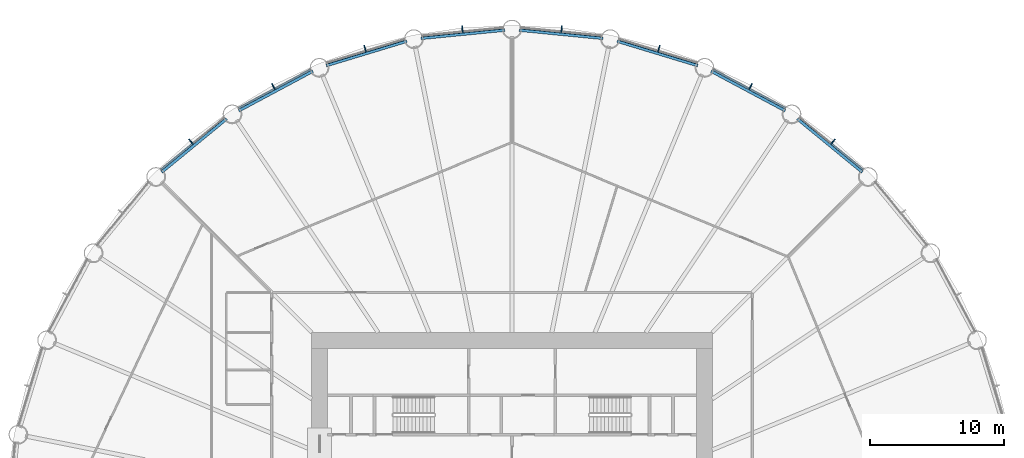
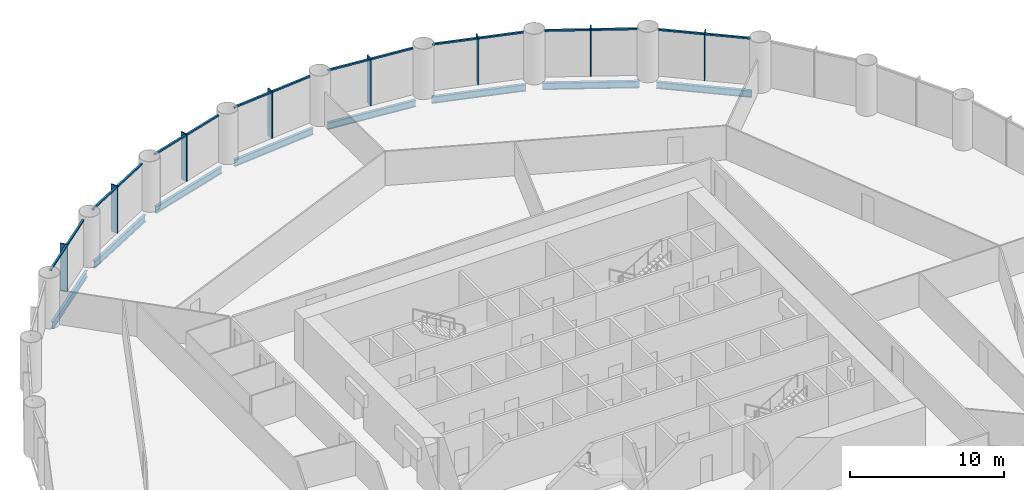
# One storey, part 7 of 15: 24 members, 8 beams, 8 elements without a shape of their own.
"""IFC4 building model written with IfcOpenShell, lengths in metres."""

from ifc_helpers import new_model, si_unit, direction, frame, origin, origin_2d, place, context, subcontext, project, spatial, rectangle, i_section, extrude, material, material_profile, profile_set, type_object, element, aggregate, save


model = new_model("IFC4")

# Units and contexts
model_context = context("Model", 3, precision=1e-05, world=origin(), true_north=direction((0.0, 1.0)))
body_context = subcontext(model_context, "Body", "Model", "MODEL_VIEW")
ifc_project = project(units=[si_unit("LENGTHUNIT", "METRE"), si_unit("AREAUNIT", "SQUARE_METRE"), si_unit("VOLUMEUNIT", "CUBIC_METRE"), si_unit("PLANEANGLEUNIT", "RADIAN"), si_unit("MASSUNIT", "GRAM", prefix="KILO")], contexts=[model_context])

# Site, building, storey
site_placement = place(None, origin())
site = spatial("IfcSite", under=ifc_project, at=site_placement, CompositionType="ELEMENT")
building_placement = place(site_placement, origin())
building = spatial("IfcBuilding", under=site, at=building_placement, Name="Corvane Civic Tower", CompositionType="ELEMENT")
storey_placement = place(building_placement, frame((0.0, 0.0, 57.0)))
storey = spatial("IfcBuildingStorey", under=building, at=storey_placement, Name="L12", CompositionType="ELEMENT", Elevation=57.0)

# Beams
ifc_material_1 = material(Name="Steel ASTM A992 Gr 50", Category="steel")
ifc_material_profile_1 = material_profile(ifc_material_1, i_section(OverallWidth=0.209228515625, OverallDepth=0.533447265625, WebThickness=0.01025390625, FlangeThickness=0.015625, at=origin_2d()), Name="W21X62")
ifc_profile_set_1 = profile_set([ifc_material_profile_1], Name="Steel ASTM A992 Gr 50")
beam_type = type_object("IfcBeamType", Name="EDGE BEAM W21X62", PredefinedType="BEAM", material=ifc_profile_set_1)
beam_1_placement = place(storey_placement, frame((0.54736328125, 37.64599609375, -0.566650390625), z_axis=(0.995186682089, -0.097997284622, 0.0), x_axis=(0.097997284622, 0.995186682089, 0.0)))
element("IfcBeam", 1, at=beam_1_placement, inside=storey, type_object=beam_type, Name="BM-L12-E01", PredefinedType="BEAM", context=body_context, shape_type="SweptSolid", body=[
    extrude(i_section(OverallWidth=0.209228515625, OverallDepth=0.533447265625, WebThickness=0.01025390625, FlangeThickness=0.015625, at=origin_2d()), origin(), (0.0, 0.0, 1.0), 6.29052734375),
])
for number, where, z_axis, x_axis, name in (
    (2, (7.88134765625, 36.81591796875, -0.566650390625), (0.956943740748, -0.290273452184, 0.0), (0.290273452184, 0.956943740748, 0.0), "BM-L12-E02"),
    (3, (14.912353515625, 34.571044921875, -0.566650390625), (0.881916367906, -0.471405897311, 0.0), (0.471405897311, 0.881916367906, 0.0), "BM-L12-E03"),
):
    element("IfcBeam", number, at=place(storey_placement, frame(where, z_axis=z_axis, x_axis=x_axis)), inside=storey, type_object=beam_type, Name=name, PredefinedType="BEAM", context=body_context, shape_type="SweptSolid", body=[
        extrude(i_section(OverallWidth=0.209228515625, OverallDepth=0.533447265625, WebThickness=0.01025390625, FlangeThickness=0.015625, at=origin_2d()), origin(), (0.0, 0.0, 1.0), 6.290283203125),
    ])
for number, where, z_axis, x_axis, name in (
    (4, (21.3701171875, 30.99755859375, -0.566650390625), (0.773015785286, -0.634386787141, 0.0), (0.634386787141, 0.773015785286, 0.0), "BM-L12-E04"),
    (5, (-26.23291015625, 27.0068359375, -0.566650390625), (0.773015785286, 0.634386787141, 0.0), (-0.634386787141, 0.773015785286, 0.0), "BM-L12-E29"),
):
    element("IfcBeam", number, at=place(storey_placement, frame(where, z_axis=z_axis, x_axis=x_axis)), inside=storey, type_object=beam_type, Name=name, PredefinedType="BEAM", context=body_context, shape_type="SweptSolid", body=[
        extrude(i_section(OverallWidth=0.209228515625, OverallDepth=0.533447265625, WebThickness=0.01025390625, FlangeThickness=0.015625, at=origin_2d()), origin(), (0.0, 0.0, 1.0), 6.290771484375),
    ])
for number, where, z_axis, x_axis, name in (
    (6, (-20.4599609375, 31.605712890625, -0.566650390625), (0.881916367906, 0.471405897311, 0.0), (-0.471405897311, 0.881916367906, 0.0), "BM-L12-E30"),
    (7, (-13.90087890625, 34.989990234375, -0.566650390625), (0.956943740748, 0.290273452184, 0.0), (-0.290273452184, 0.956943740748, 0.0), "BM-L12-E31"),
):
    element("IfcBeam", number, at=place(storey_placement, frame(where, z_axis=z_axis, x_axis=x_axis)), inside=storey, type_object=beam_type, Name=name, PredefinedType="BEAM", context=body_context, shape_type="SweptSolid", body=[
        extrude(i_section(OverallWidth=0.209228515625, OverallDepth=0.533447265625, WebThickness=0.01025390625, FlangeThickness=0.015625, at=origin_2d()), origin(), (0.0, 0.0, 1.0), 6.290283203125),
    ])
beam_2_placement = place(storey_placement, frame((-6.8076171875, 37.029541015625, -0.566650390625), z_axis=(0.995186682089, 0.097997284622, 0.0), x_axis=(-0.097997284622, 0.995186682089, 0.0)))
element("IfcBeam", 8, at=beam_2_placement, inside=storey, type_object=beam_type, Name="BM-L12-E32", PredefinedType="BEAM", context=body_context, shape_type="SweptSolid", body=[
    extrude(i_section(OverallWidth=0.209228515625, OverallDepth=0.533447265625, WebThickness=0.01025390625, FlangeThickness=0.015625, at=origin_2d()), origin(), (0.0, 0.0, 1.0), 6.29052734375),
])

# Curtain wall, members
ifc_material_2 = material(Name="Anodised aluminium bronze", Category="aluminium")
curtain_wall_type = type_object("IfcCurtainWallType", Name="TOWER CW-T1 STICK CURTAIN WALL", PredefinedType="NOTDEFINED", material=ifc_material_2)
curtain_wall_1_placement = place(storey_placement, origin())
curtain_wall_1 = element("IfcCurtainWall", 9, at=curtain_wall_1_placement, inside=storey, type_object=curtain_wall_type, Name="Curtain wall CW-T1 L12 bay 01", PredefinedType="NOTDEFINED")
ifc_material_3 = material(Name="Anodised aluminium bronze", Category="aluminium")
ifc_material_profile_2 = material_profile(ifc_material_3, rectangle(XDim=0.139892578125, YDim=0.1201171875, at=origin_2d()), Name="TOWER CW-T1 TRANSOM 140x120")
ifc_profile_set_2 = profile_set([ifc_material_profile_2], Name="Anodised aluminium bronze")
member_type_1 = type_object("IfcMemberType", Name="TOWER CW-T1 TRANSOM 140x120", PredefinedType="USERDEFINED", material=ifc_profile_set_2)
member_1_placement = place(storey_placement, frame((0.6611328125, 37.814697265625, 3.68994140625), z_axis=(0.995191836722, -0.097944923917, 0.0), x_axis=(0.097944923917, 0.995191836722, 0.0)))
member_1 = element("IfcMember", 10, at=member_1_placement, type_object=member_type_1, Name="Transom CW-T1 L12 01.1", ObjectType="TRANSOM", PredefinedType="USERDEFINED", context=body_context, shape_type="SweptSolid", body=[
    extrude(rectangle(XDim=0.139892578125, YDim=0.1201171875, at=origin_2d()), origin(), (0.0, 0.0, 1.0), 3.008544921875),
])
member_2_placement = place(storey_placement, frame((3.73486328125, 37.511962890625, 3.68994140625), z_axis=(0.995191836722, -0.097944923917, 0.0), x_axis=(0.097944923917, 0.995191836722, 0.0)))
member_2 = element("IfcMember", 11, at=member_2_placement, type_object=member_type_1, Name="Transom CW-T1 L12 01.2", ObjectType="TRANSOM", PredefinedType="USERDEFINED", context=body_context, shape_type="SweptSolid", body=[
    extrude(rectangle(XDim=0.139892578125, YDim=0.1201171875, at=origin_2d()), origin(), (0.0, 0.0, 1.0), 3.008544921875),
])

curtain_wall_2_placement = place(storey_placement, origin())
curtain_wall_2 = element("IfcCurtainWall", 12, at=curtain_wall_2_placement, inside=storey, type_object=curtain_wall_type, Name="Curtain wall CW-T1 L12 bay 02", PredefinedType="NOTDEFINED")
member_3_placement = place(storey_placement, frame((8.02587890625, 36.959228515625, 3.68994140625), z_axis=(0.956941780555, -0.290279914268, 0.0), x_axis=(0.290279914268, 0.956941780555, 0.0)))
member_3 = element("IfcMember", 13, at=member_3_placement, type_object=member_type_1, Name="Transom CW-T1 L12 02.1", ObjectType="TRANSOM", PredefinedType="USERDEFINED", context=body_context, shape_type="SweptSolid", body=[
    extrude(rectangle(XDim=0.139892578125, YDim=0.1201171875, at=origin_2d()), origin(), (0.0, 0.0, 1.0), 3.008544921875),
])
member_4_placement = place(storey_placement, frame((10.9814453125, 36.062744140625, 3.68994140625), z_axis=(0.956941780555, -0.290279914268, 0.0), x_axis=(0.290279914268, 0.956941780555, 0.0)))
member_4 = element("IfcMember", 14, at=member_4_placement, type_object=member_type_1, Name="Transom CW-T1 L12 02.2", ObjectType="TRANSOM", PredefinedType="USERDEFINED", context=body_context, shape_type="SweptSolid", body=[
    extrude(rectangle(XDim=0.139892578125, YDim=0.1201171875, at=origin_2d()), origin(), (0.0, 0.0, 1.0), 3.008544921875),
])

curtain_wall_3_placement = place(storey_placement, origin())
curtain_wall_3 = element("IfcCurtainWall", 15, at=curtain_wall_3_placement, inside=storey, type_object=curtain_wall_type, Name="Curtain wall CW-T1 L12 bay 03", PredefinedType="NOTDEFINED")
member_5_placement = place(storey_placement, frame((15.08203125, 34.683349609375, 3.68994140625), z_axis=(0.881923525532, -0.471392506424, 0.0), x_axis=(0.471392506424, 0.881923525532, 0.0)))
member_5 = element("IfcMember", 16, at=member_5_placement, type_object=member_type_1, Name="Transom CW-T1 L12 03.1", ObjectType="TRANSOM", PredefinedType="USERDEFINED", context=body_context, shape_type="SweptSolid", body=[
    extrude(rectangle(XDim=0.139892578125, YDim=0.1201171875, at=origin_2d()), origin(), (0.0, 0.0, 1.0), 3.008544921875),
])
member_6_placement = place(storey_placement, frame((17.805908203125, 33.2275390625, 3.68994140625), z_axis=(0.881923525532, -0.471392506424, 0.0), x_axis=(0.471392506424, 0.881923525532, 0.0)))
member_6 = element("IfcMember", 17, at=member_6_placement, type_object=member_type_1, Name="Transom CW-T1 L12 03.2", ObjectType="TRANSOM", PredefinedType="USERDEFINED", context=body_context, shape_type="SweptSolid", body=[
    extrude(rectangle(XDim=0.139892578125, YDim=0.1201171875, at=origin_2d()), origin(), (0.0, 0.0, 1.0), 3.008544921875),
])

curtain_wall_4_placement = place(storey_placement, origin())
curtain_wall_4 = element("IfcCurtainWall", 18, at=curtain_wall_4_placement, inside=storey, type_object=curtain_wall_type, Name="Curtain wall CW-T1 L12 bay 04", PredefinedType="NOTDEFINED")
member_7_placement = place(storey_placement, frame((21.55859375, 31.074462890625, 3.68994140625), z_axis=(0.773041738279, -0.634355161466, 0.0), x_axis=(0.634355161466, 0.773041738279, 0.0)))
member_7 = element("IfcMember", 19, at=member_7_placement, type_object=member_type_1, Name="Transom CW-T1 L12 04.1", ObjectType="TRANSOM", PredefinedType="USERDEFINED", context=body_context, shape_type="SweptSolid", body=[
    extrude(rectangle(XDim=0.139892578125, YDim=0.1201171875, at=origin_2d()), origin(), (0.0, 0.0, 1.0), 3.008544921875),
])
member_8_placement = place(storey_placement, frame((23.946044921875, 29.115234375, 3.68994140625), z_axis=(0.773001943873, -0.634403652865, 0.0), x_axis=(0.634403652865, 0.773001943873, 0.0)))
member_8 = element("IfcMember", 20, at=member_8_placement, type_object=member_type_1, Name="Transom CW-T1 L12 04.2", ObjectType="TRANSOM", PredefinedType="USERDEFINED", context=body_context, shape_type="SweptSolid", body=[
    extrude(rectangle(XDim=0.139892578125, YDim=0.1201171875, at=origin_2d()), origin(), (0.0, 0.0, 1.0), 3.008544921875),
])

curtain_wall_5_placement = place(storey_placement, origin())
curtain_wall_5 = element("IfcCurtainWall", 21, at=curtain_wall_5_placement, inside=storey, type_object=curtain_wall_type, Name="Curtain wall CW-T1 L12 bay 29", PredefinedType="NOTDEFINED")
member_9_placement = place(storey_placement, frame((-26.271728515625, 27.20654296875, 3.68994140625), z_axis=(0.773001943873, 0.634403652865, 0.0), x_axis=(-0.634403652865, 0.773001943873, 0.0)))
member_9 = element("IfcMember", 22, at=member_9_placement, type_object=member_type_1, Name="Transom CW-T1 L12 29.1", ObjectType="TRANSOM", PredefinedType="USERDEFINED", context=body_context, shape_type="SweptSolid", body=[
    extrude(rectangle(XDim=0.139892578125, YDim=0.1201171875, at=origin_2d()), origin(), (0.0, 0.0, 1.0), 3.008544921875),
])
member_10_placement = place(storey_placement, frame((-23.88427734375, 29.166015625, 3.68994140625), z_axis=(0.773041738279, 0.634355161466, 0.0), x_axis=(-0.634355161466, 0.773041738279, 0.0)))
member_10 = element("IfcMember", 23, at=member_10_placement, type_object=member_type_1, Name="Transom CW-T1 L12 29.2", ObjectType="TRANSOM", PredefinedType="USERDEFINED", context=body_context, shape_type="SweptSolid", body=[
    extrude(rectangle(XDim=0.139892578125, YDim=0.1201171875, at=origin_2d()), origin(), (0.0, 0.0, 1.0), 3.008544921875),
])

curtain_wall_6_placement = place(storey_placement, origin())
curtain_wall_6 = element("IfcCurtainWall", 24, at=curtain_wall_6_placement, inside=storey, type_object=curtain_wall_type, Name="Curtain wall CW-T1 L12 bay 30", PredefinedType="NOTDEFINED")
member_11_placement = place(storey_placement, frame((-20.459228515625, 31.809326171875, 3.68994140625), z_axis=(0.881923525532, 0.471392506424, 0.0), x_axis=(-0.471392506424, 0.881923525532, 0.0)))
member_11 = element("IfcMember", 25, at=member_11_placement, type_object=member_type_1, Name="Transom CW-T1 L12 30.1", ObjectType="TRANSOM", PredefinedType="USERDEFINED", context=body_context, shape_type="SweptSolid", body=[
    extrude(rectangle(XDim=0.139892578125, YDim=0.1201171875, at=origin_2d()), origin(), (0.0, 0.0, 1.0), 3.008544921875),
])
member_12_placement = place(storey_placement, frame((-17.7353515625, 33.26513671875, 3.68994140625), z_axis=(0.881923525532, 0.471392506424, 0.0), x_axis=(-0.471392506424, 0.881923525532, 0.0)))
member_12 = element("IfcMember", 26, at=member_12_placement, type_object=member_type_1, Name="Transom CW-T1 L12 30.2", ObjectType="TRANSOM", PredefinedType="USERDEFINED", context=body_context, shape_type="SweptSolid", body=[
    extrude(rectangle(XDim=0.139892578125, YDim=0.1201171875, at=origin_2d()), origin(), (0.0, 0.0, 1.0), 3.008544921875),
])

curtain_wall_7_placement = place(storey_placement, origin())
curtain_wall_7 = element("IfcCurtainWall", 27, at=curtain_wall_7_placement, inside=storey, type_object=curtain_wall_type, Name="Curtain wall CW-T1 L12 bay 31", PredefinedType="NOTDEFINED")
member_13_placement = place(storey_placement, frame((-13.8603515625, 35.189453125, 3.68994140625), z_axis=(0.956941780555, 0.290279914268, 0.0), x_axis=(-0.290279914268, 0.956941780555, 0.0)))
member_13 = element("IfcMember", 28, at=member_13_placement, type_object=member_type_1, Name="Transom CW-T1 L12 31.1", ObjectType="TRANSOM", PredefinedType="USERDEFINED", context=body_context, shape_type="SweptSolid", body=[
    extrude(rectangle(XDim=0.139892578125, YDim=0.1201171875, at=origin_2d()), origin(), (0.0, 0.0, 1.0), 3.008544921875),
])
member_14_placement = place(storey_placement, frame((-10.90478515625, 36.0859375, 3.68994140625), z_axis=(0.956941780555, 0.290279914268, 0.0), x_axis=(-0.290279914268, 0.956941780555, 0.0)))
member_14 = element("IfcMember", 29, at=member_14_placement, type_object=member_type_1, Name="Transom CW-T1 L12 31.2", ObjectType="TRANSOM", PredefinedType="USERDEFINED", context=body_context, shape_type="SweptSolid", body=[
    extrude(rectangle(XDim=0.139892578125, YDim=0.1201171875, at=origin_2d()), origin(), (0.0, 0.0, 1.0), 3.008544921875),
])

curtain_wall_8_placement = place(storey_placement, origin())
curtain_wall_8 = element("IfcCurtainWall", 30, at=curtain_wall_8_placement, inside=storey, type_object=curtain_wall_type, Name="Curtain wall CW-T1 L12 bay 32", PredefinedType="NOTDEFINED")
member_15_placement = place(storey_placement, frame((-6.72900390625, 37.21728515625, 3.68994140625), z_axis=(0.995191836722, 0.097944923917, 0.0), x_axis=(-0.097944923917, 0.995191836722, 0.0)))
member_15 = element("IfcMember", 31, at=member_15_placement, type_object=member_type_1, Name="Transom CW-T1 L12 32.1", ObjectType="TRANSOM", PredefinedType="USERDEFINED", context=body_context, shape_type="SweptSolid", body=[
    extrude(rectangle(XDim=0.139892578125, YDim=0.1201171875, at=origin_2d()), origin(), (0.0, 0.0, 1.0), 3.008544921875),
])
member_16_placement = place(storey_placement, frame((-3.6552734375, 37.52001953125, 3.68994140625), z_axis=(0.995191836722, 0.097944923917, 0.0), x_axis=(-0.097944923917, 0.995191836722, 0.0)))
member_16 = element("IfcMember", 32, at=member_16_placement, type_object=member_type_1, Name="Transom CW-T1 L12 32.2", ObjectType="TRANSOM", PredefinedType="USERDEFINED", context=body_context, shape_type="SweptSolid", body=[
    extrude(rectangle(XDim=0.139892578125, YDim=0.1201171875, at=origin_2d()), origin(), (0.0, 0.0, 1.0), 3.008544921875),
])

# Member
ifc_material_4 = material(Name="Anodised aluminium bronze", Category="aluminium")
ifc_material_profile_3 = material_profile(ifc_material_4, rectangle(XDim=0.080078125, YDim=0.5, at=origin_2d()), Name="TOWER FIN MULLION 80x500 BRONZE")
ifc_profile_set_3 = profile_set([ifc_material_profile_3], Name="Anodised aluminium bronze")
member_type_2 = type_object("IfcMemberType", Name="TOWER FIN MULLION 80x500 BRONZE", PredefinedType="MULLION", material=ifc_profile_set_3)
member_17_placement = place(storey_placement, frame((3.714599609375, 37.715087890625, 0.0), z_axis=(0.0, 0.0, 1.0), x_axis=(0.995185800248, -0.098006239521, 0.0)))
member_17 = element("IfcMember", 33, at=member_17_placement, type_object=member_type_2, Name="Fin mullion 01 L12", PredefinedType="MULLION", context=body_context, shape_type="SweptSolid", body=[
    extrude(rectangle(XDim=0.080078125, YDim=0.5, at=origin_2d()), origin(), (0.0, 0.0, 1.0), 3.75),
])

aggregate(curtain_wall_1, [member_17, member_1, member_2])

member_18_placement = place(storey_placement, frame((11.001220703125, 36.265625, 0.0), z_axis=(0.0, 0.0, 1.0), x_axis=(0.956942240606, -0.290278397654, 0.0)))
member_18 = element("IfcMember", 34, at=member_18_placement, type_object=member_type_2, Name="Fin mullion 02 L12", PredefinedType="MULLION", context=body_context, shape_type="SweptSolid", body=[
    extrude(rectangle(XDim=0.080078125, YDim=0.5, at=origin_2d()), origin(), (0.0, 0.0, 1.0), 3.75),
])

aggregate(curtain_wall_2, [member_18, member_3, member_4])

member_19_placement = place(storey_placement, frame((17.86474609375, 33.422607421875, 0.0), z_axis=(0.0, 0.0, 1.0), x_axis=(0.881917528864, -0.471403725359, 0.0)))
member_19 = element("IfcMember", 35, at=member_19_placement, type_object=member_type_2, Name="Fin mullion 03 L12", PredefinedType="MULLION", context=body_context, shape_type="SweptSolid", body=[
    extrude(rectangle(XDim=0.080078125, YDim=0.5, at=origin_2d()), origin(), (0.0, 0.0, 1.0), 3.75),
])

aggregate(curtain_wall_3, [member_19, member_5, member_6])

member_20_placement = place(storey_placement, frame((24.0419921875, 29.295166015625, 0.0), z_axis=(0.0, 0.0, 1.0), x_axis=(0.773007224463, -0.634397218569, 0.0)))
member_20 = element("IfcMember", 36, at=member_20_placement, type_object=member_type_2, Name="Fin mullion 04 L12", PredefinedType="MULLION", context=body_context, shape_type="SweptSolid", body=[
    extrude(rectangle(XDim=0.080078125, YDim=0.5, at=origin_2d()), origin(), (0.0, 0.0, 1.0), 3.75),
])

aggregate(curtain_wall_4, [member_20, member_7, member_8])

member_21_placement = place(storey_placement, frame((-24.0419921875, 29.295166015625, 0.0), z_axis=(0.0, 0.0, 1.0), x_axis=(0.773007224463, 0.634397218569, 0.0)))
member_21 = element("IfcMember", 37, at=member_21_placement, type_object=member_type_2, Name="Fin mullion 29 L12", PredefinedType="MULLION", context=body_context, shape_type="SweptSolid", body=[
    extrude(rectangle(XDim=0.080078125, YDim=0.5, at=origin_2d()), origin(), (0.0, 0.0, 1.0), 3.75),
])

aggregate(curtain_wall_5, [member_21, member_9, member_10])

member_22_placement = place(storey_placement, frame((-17.86474609375, 33.422607421875, 0.0), z_axis=(0.0, 0.0, 1.0), x_axis=(0.881917528864, 0.471403725359, 0.0)))
member_22 = element("IfcMember", 38, at=member_22_placement, type_object=member_type_2, Name="Fin mullion 30 L12", PredefinedType="MULLION", context=body_context, shape_type="SweptSolid", body=[
    extrude(rectangle(XDim=0.080078125, YDim=0.5, at=origin_2d()), origin(), (0.0, 0.0, 1.0), 3.75),
])

aggregate(curtain_wall_6, [member_22, member_11, member_12])

member_23_placement = place(storey_placement, frame((-11.001220703125, 36.265625, 0.0), z_axis=(0.0, 0.0, 1.0), x_axis=(0.956942240606, 0.290278397654, 0.0)))
member_23 = element("IfcMember", 39, at=member_23_placement, type_object=member_type_2, Name="Fin mullion 31 L12", PredefinedType="MULLION", context=body_context, shape_type="SweptSolid", body=[
    extrude(rectangle(XDim=0.080078125, YDim=0.5, at=origin_2d()), origin(), (0.0, 0.0, 1.0), 3.75),
])

aggregate(curtain_wall_7, [member_23, member_13, member_14])

member_24_placement = place(storey_placement, frame((-3.714599609375, 37.715087890625, 0.0), z_axis=(0.0, 0.0, 1.0), x_axis=(0.995185800248, 0.098006239521, 0.0)))
member_24 = element("IfcMember", 40, at=member_24_placement, type_object=member_type_2, Name="Fin mullion 32 L12", PredefinedType="MULLION", context=body_context, shape_type="SweptSolid", body=[
    extrude(rectangle(XDim=0.080078125, YDim=0.5, at=origin_2d()), origin(), (0.0, 0.0, 1.0), 3.75),
])

aggregate(curtain_wall_8, [member_24, member_15, member_16])

save(model, "model.ifc")
